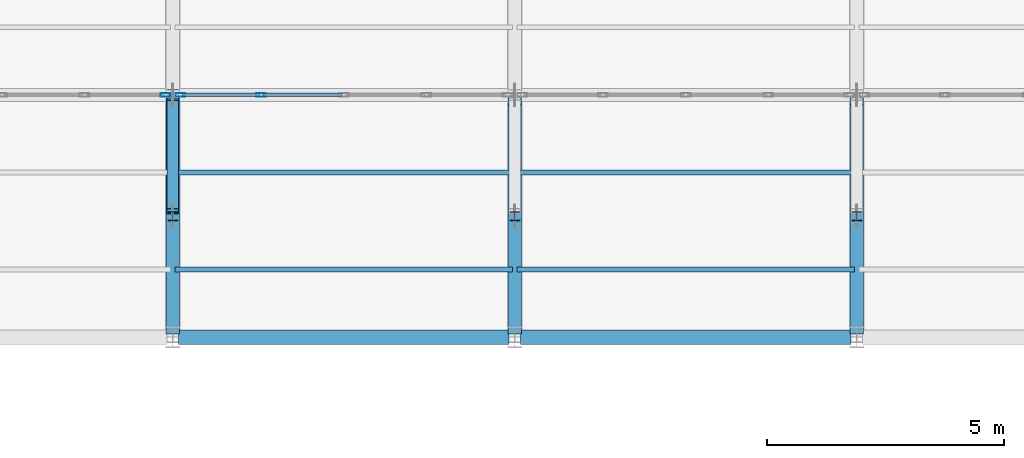
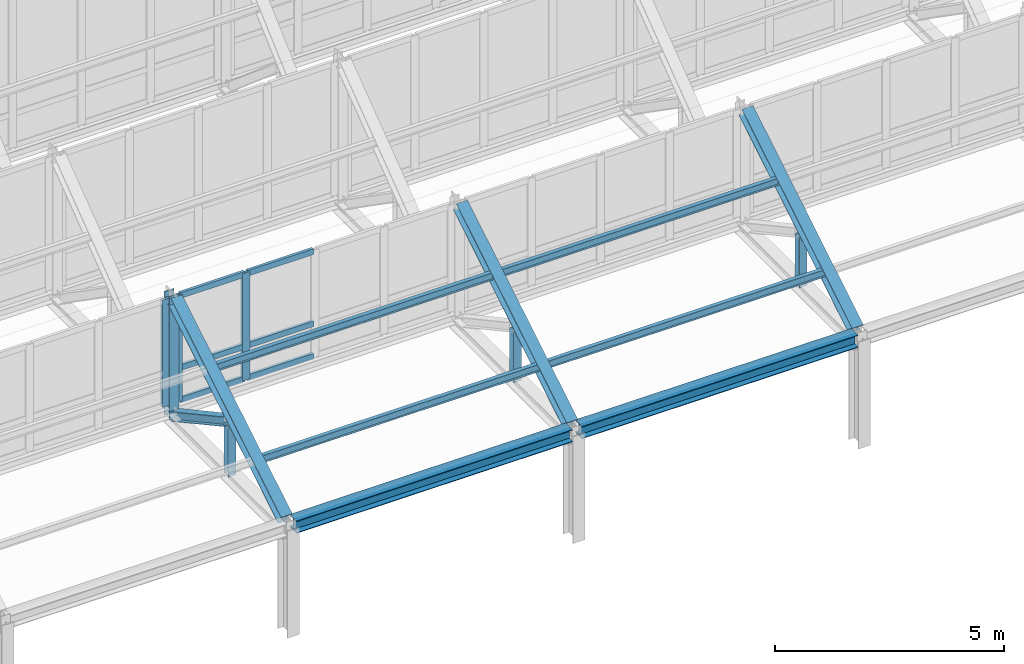
# One storey, part 25 of 157: 21 members, 2 beams, 2 elements without a shape of their own.
"""IFC4 building model written with IfcOpenShell, lengths in metres."""

from ifc_helpers import new_model, si_unit, direction, frame, origin, origin_2d, place, context, subcontext, project, spatial, hollow_rectangle, i_section, extrude, material, material_profile, profile_set, type_object, element, aggregate, save


model = new_model("IFC4")

# Units and contexts
model_context = context("Model", 3, precision=1e-05, world=origin(), true_north=direction((0.0, 1.0)))
body_context = subcontext(model_context, "Body", "Model", "MODEL_VIEW")
ifc_project = project(units=[si_unit("LENGTHUNIT", "METRE"), si_unit("AREAUNIT", "SQUARE_METRE"), si_unit("VOLUMEUNIT", "CUBIC_METRE"), si_unit("PLANEANGLEUNIT", "RADIAN"), si_unit("MASSUNIT", "GRAM", prefix="KILO")], contexts=[model_context])

# Site, building, storey
site_placement = place(None, origin())
site = spatial("IfcSite", under=ifc_project, at=site_placement, CompositionType="ELEMENT")
building_placement = place(site_placement, origin())
building = spatial("IfcBuilding", under=site, at=building_placement, Name="Suanplinth Sawtooth Commons", CompositionType="ELEMENT")
storey_placement = place(building_placement, frame((0.0, 0.0, 9.0)))
storey = spatial("IfcBuildingStorey", under=building, at=storey_placement, Name="L02", CompositionType="ELEMENT", Elevation=9.0)

# Beams
ifc_material_1 = material(Name="Steel S355JR", Category="steel")
ifc_material_profile_1 = material_profile(ifc_material_1, i_section(OverallWidth=0.300048828125, OverallDepth=0.330078125, WebThickness=0.009521484375, FlangeThickness=0.0166015625, at=origin_2d()), Name="HEA 340")
ifc_profile_set_1 = profile_set([ifc_material_profile_1], Name="Steel S355JR")
beam_type = type_object("IfcBeamType", Name="B-15", PredefinedType="USERDEFINED", material=ifc_profile_set_1)
for number, where, z_axis, x_axis, name in (
    (1, (79.320068359375, 50.39990234375, 2.820068359375), (1.0, 0.0, 0.0), (0.0, 1.0, 0.0), "Sawtooth Valley Girder T1-B3"),
    (2, (86.52001953125, 50.39990234375, 2.820068359375), (1.0, 0.0, 0.0), (0.0, 1.0, 0.0), "Sawtooth Valley Girder T1-B4"),
):
    element("IfcBeam", number, at=place(storey_placement, frame(where, z_axis=z_axis, x_axis=x_axis)), inside=storey, type_object=beam_type, Name=name, ObjectType="GIRDER", PredefinedType="USERDEFINED", context=body_context, shape_type="SweptSolid", body=[
        extrude(i_section(OverallWidth=0.300048828125, OverallDepth=0.330078125, WebThickness=0.009521484375, FlangeThickness=0.0166015625, at=origin_2d()), origin(), (0.0, 0.0, 1.0), 6.9599609375),
    ])

# Members
ifc_material_profile_2 = material_profile(ifc_material_1, i_section(OverallWidth=0.280029296875, OverallDepth=0.280029296875, WebThickness=0.010498046875, FlangeThickness=0.01806640625, at=origin_2d()), Name="HEB 280")
ifc_profile_set_2 = profile_set([ifc_material_profile_2], Name="Steel S355JR")
member_type_1 = type_object("IfcMemberType", Name="M-02", PredefinedType="CHORD", material=ifc_profile_set_2)
for number, where, z_axis, x_axis, name in (
    (3, (79.199951171875, 50.5400390625, 2.919921875), (0.0, 0.855283356021, 0.51816057445), (-1.0, 0.0, 0.0), "Sawtooth Truss T3 Top Chord 1"),
    (4, (86.39990234375, 50.5400390625, 2.919921875), (0.0, 0.855283356021, 0.51816057445), (-1.0, 0.0, 0.0), "Sawtooth Truss T4 Top Chord 1"),
    (5, (93.60009765625, 50.5400390625, 2.919921875), (0.0, 0.855283356021, 0.51816057445), (-1.0, 0.0, 0.0), "Sawtooth Truss T5 Top Chord 1"),
):
    element("IfcMember", number, at=place(storey_placement, frame(where, z_axis=z_axis, x_axis=x_axis)), inside=storey, type_object=member_type_1, Name=name, PredefinedType="CHORD", context=body_context, shape_type="SweptSolid", body=[
        extrude(i_section(OverallWidth=0.280029296875, OverallDepth=0.280029296875, WebThickness=0.010498046875, FlangeThickness=0.01806640625, at=origin_2d()), origin(), (0.0, 0.0, 1.0), 5.6357421875),
    ])
ifc_material_profile_3 = material_profile(ifc_material_1, i_section(OverallWidth=0.239990234375, OverallDepth=0.22998046875, WebThickness=0.007568359375, FlangeThickness=0.011962890625, at=origin_2d()), Name="HEA 240")
ifc_profile_set_3 = profile_set([ifc_material_profile_3], Name="Steel S355JR")
member_type_2 = type_object("IfcMemberType", Name="M-03", PredefinedType="BRACE", material=ifc_profile_set_3)
member_1_placement = place(storey_placement, frame((79.199951171875, 53.050048828125, 4.02001953125), z_axis=(0.0, 0.878022125023, -0.478620045517), x_axis=(-1.0, 0.0, 0.0)))
element("IfcMember", 6, at=member_1_placement, inside=storey, type_object=member_type_2, Name="Sawtooth Truss T3 Web Diagonal 1", PredefinedType="BRACE", context=body_context, shape_type="SweptSolid", body=[
    extrude(i_section(OverallWidth=0.239990234375, OverallDepth=0.22998046875, WebThickness=0.007568359375, FlangeThickness=0.011962890625, at=origin_2d()), origin(), (0.0, 0.0, 1.0), 2.653564453125),
])
ifc_material_profile_4 = material_profile(ifc_material_1, i_section(OverallWidth=0.199951171875, OverallDepth=0.18994140625, WebThickness=0.006591796875, FlangeThickness=0.010009765625, at=origin_2d()), Name="HEA 200")
ifc_profile_set_4 = profile_set([ifc_material_profile_4], Name="Steel S355JR")
member_type_3 = type_object("IfcMemberType", Name="M-04", PredefinedType="BRACE", material=ifc_profile_set_4)
for number, where, z_axis, x_axis, name in (
    (7, (79.199951171875, 52.949951171875, 2.64990234375), (0.0, 0.0, 1.0), (1.0, 0.0, 0.0), "Sawtooth Truss T3 Mid Web Post 1"),
    (8, (86.39990234375, 52.949951171875, 2.64990234375), (0.0, 0.0, 1.0), (1.0, 0.0, 0.0), "Sawtooth Truss T4 Mid Web Post 1"),
    (9, (93.60009765625, 52.949951171875, 2.64990234375), (0.0, 0.0, 1.0), (1.0, 0.0, 0.0), "Sawtooth Truss T5 Mid Web Post 1"),
):
    element("IfcMember", number, at=place(storey_placement, frame(where, z_axis=z_axis, x_axis=x_axis)), inside=storey, type_object=member_type_3, Name=name, PredefinedType="BRACE", context=body_context, shape_type="SweptSolid", body=[
        extrude(i_section(OverallWidth=0.199951171875, OverallDepth=0.18994140625, WebThickness=0.006591796875, FlangeThickness=0.010009765625, at=origin_2d()), origin(), (0.0, 0.0, 1.0), 1.35009765625),
    ])
ifc_material_profile_5 = material_profile(ifc_material_1, i_section(OverallWidth=0.239990234375, OverallDepth=0.239990234375, WebThickness=0.010009765625, FlangeThickness=0.01708984375, at=origin_2d()), Name="HEB 240")
ifc_profile_set_5 = profile_set([ifc_material_profile_5], Name="Steel S355JR")
member_type_4 = type_object("IfcMemberType", Name="M-05", PredefinedType="POST", material=ifc_profile_set_5)
member_2_placement = place(storey_placement, frame((79.199951171875, 55.5, 2.64990234375), z_axis=(0.0, 0.0, 1.0), x_axis=(1.0, 0.0, 0.0)))
element("IfcMember", 10, at=member_2_placement, inside=storey, type_object=member_type_4, Name="Sawtooth Truss T3 Clerestory Post 1", PredefinedType="POST", context=body_context, shape_type="SweptSolid", body=[
    extrude(i_section(OverallWidth=0.239990234375, OverallDepth=0.239990234375, WebThickness=0.010009765625, FlangeThickness=0.01708984375, at=origin_2d()), origin(), (0.0, 0.0, 1.0), 3.2900390625),
])
ifc_material_2 = material(Name="Steel SS400", Category="steel")
ifc_material_profile_6 = material_profile(ifc_material_2, i_section(OverallWidth=0.10009765625, OverallDepth=0.199951171875, WebThickness=0.005615234375, FlangeThickness=0.008544921875, at=origin_2d()), Name="IPE 200")
ifc_profile_set_6 = profile_set([ifc_material_profile_6], Name="Steel SS400")
member_type_5 = type_object("IfcMemberType", Name="M-06", PredefinedType="PURLIN", material=ifc_profile_set_6)
for number, where, z_axis, x_axis, name in (
    (11, (79.25, 51.827880859375, 3.691162109375), (1.0, 0.0, 0.0), (0.0, 1.0, 0.0), "Sawtooth Roof Purlin T1-B3-P1"),
    (12, (79.25, 53.867919921875, 4.89111328125), (1.0, 0.0, 0.0), (0.0, 1.0, 0.0), "Sawtooth Roof Purlin T1-B3-P2"),
    (13, (86.449951171875, 51.827880859375, 3.691162109375), (1.0, 0.0, 0.0), (0.0, 1.0, 0.0), "Sawtooth Roof Purlin T1-B4-P1"),
    (14, (86.449951171875, 53.867919921875, 4.89111328125), (1.0, 0.0, 0.0), (0.0, 1.0, 0.0), "Sawtooth Roof Purlin T1-B4-P2"),
):
    element("IfcMember", number, at=place(storey_placement, frame(where, z_axis=z_axis, x_axis=x_axis)), inside=storey, type_object=member_type_5, Name=name, PredefinedType="PURLIN", context=body_context, shape_type="SweptSolid", body=[
        extrude(i_section(OverallWidth=0.10009765625, OverallDepth=0.199951171875, WebThickness=0.005615234375, FlangeThickness=0.008544921875, at=origin_2d()), origin(), (0.0, 0.0, 1.0), 7.10009765625),
    ])

# Curtain wall, member
ifc_material_3 = material(Name="Anodized aluminium and low-E glazing", Category="aluminium")
curtain_wall_type = type_object("IfcCurtainWallType", Name="CW-03", PredefinedType="USERDEFINED", material=ifc_material_3)
curtain_wall_1_placement = place(storey_placement, origin())
curtain_wall_1 = element("IfcCurtainWall", 15, at=curtain_wall_1_placement, inside=storey, type_object=curtain_wall_type, Name="Curtain Wall CW-SAW-T1-B2", ObjectType="CURTAIN WALL", PredefinedType="USERDEFINED")
ifc_material_4 = material(Name="Anodized aluminium 6063-T6", Category="aluminium")
ifc_material_profile_7 = material_profile(ifc_material_4, hollow_rectangle(XDim=0.074951171875, YDim=0.199951171875, WallThickness=0.0048828125, at=origin_2d()), Name="ALU-MUL 75x200")
ifc_profile_set_7 = profile_set([ifc_material_profile_7], Name="Anodized aluminium 6063-T6")
member_type_6 = type_object("IfcMemberType", Name="M-14", PredefinedType="MULLION", material=ifc_profile_set_7)
member_3_placement = place(storey_placement, frame((79.04248046875, 55.5, 2.97998046875), z_axis=(0.0, 0.0, 1.0), x_axis=(0.0, 1.0, 0.0)))
member_3 = element("IfcMember", 16, at=member_3_placement, type_object=member_type_6, Name="CW-03 mullion 5", PredefinedType="MULLION", context=body_context, shape_type="SweptSolid", body=[
    extrude(hollow_rectangle(XDim=0.074951171875, YDim=0.199951171875, WallThickness=0.0048828125, at=origin_2d()), origin(), (0.0, 0.0, 1.0), 2.860107421875),
])
aggregate(curtain_wall_1, [member_3])

# Curtain wall, members
curtain_wall_2_placement = place(storey_placement, origin())
curtain_wall_2 = element("IfcCurtainWall", 17, at=curtain_wall_2_placement, inside=storey, type_object=curtain_wall_type, Name="Curtain Wall CW-SAW-T1-B3", ObjectType="CURTAIN WALL", PredefinedType="USERDEFINED")
member_4_placement = place(storey_placement, frame((79.357421875, 55.5, 2.97998046875), z_axis=(0.0, 0.0, 1.0), x_axis=(0.0, 1.0, 0.0)))
member_4 = element("IfcMember", 18, at=member_4_placement, type_object=member_type_6, Name="CW-03 mullion 1", PredefinedType="MULLION", context=body_context, shape_type="SweptSolid", body=[
    extrude(hollow_rectangle(XDim=0.074951171875, YDim=0.199951171875, WallThickness=0.0048828125, at=origin_2d()), origin(), (0.0, 0.0, 1.0), 2.860107421875),
])
member_5_placement = place(storey_placement, frame((81.06005859375, 55.5, 2.97998046875), z_axis=(0.0, 0.0, 1.0), x_axis=(0.0, 1.0, 0.0)))
member_5 = element("IfcMember", 19, at=member_5_placement, type_object=member_type_6, Name="CW-03 mullion 2", PredefinedType="MULLION", context=body_context, shape_type="SweptSolid", body=[
    extrude(hollow_rectangle(XDim=0.074951171875, YDim=0.199951171875, WallThickness=0.0048828125, at=origin_2d()), origin(), (0.0, 0.0, 1.0), 2.860107421875),
])
ifc_material_profile_8 = material_profile(ifc_material_4, hollow_rectangle(XDim=0.074951171875, YDim=0.14990234375, WallThickness=0.00439453125, at=origin_2d()), Name="ALU-TRN 75x150")
ifc_profile_set_8 = profile_set([ifc_material_profile_8], Name="Anodized aluminium 6063-T6")
member_type_7 = type_object("IfcMemberType", Name="M-16", PredefinedType="USERDEFINED", material=ifc_profile_set_8)
member_6_placement = place(storey_placement, frame((79.39501953125, 55.5, 3.017578125), z_axis=(1.0, 0.0, 0.0), x_axis=(0.0, 1.0, 0.0)))
member_6 = element("IfcMember", 20, at=member_6_placement, type_object=member_type_7, Name="CW-03 transom 1.1", ObjectType="TRANSOM", PredefinedType="USERDEFINED", context=body_context, shape_type="SweptSolid", body=[
    extrude(hollow_rectangle(XDim=0.074951171875, YDim=0.14990234375, WallThickness=0.00439453125, at=origin_2d()), origin(), (0.0, 0.0, 1.0), 1.62744140625),
])
member_7_placement = place(storey_placement, frame((79.39501953125, 55.5, 3.8798828125), z_axis=(1.0, 0.0, 0.0), x_axis=(0.0, 1.0, 0.0)))
member_7 = element("IfcMember", 21, at=member_7_placement, type_object=member_type_7, Name="CW-03 transom 1.2", ObjectType="TRANSOM", PredefinedType="USERDEFINED", context=body_context, shape_type="SweptSolid", body=[
    extrude(hollow_rectangle(XDim=0.074951171875, YDim=0.14990234375, WallThickness=0.00439453125, at=origin_2d()), origin(), (0.0, 0.0, 1.0), 1.62744140625),
])
member_8_placement = place(storey_placement, frame((79.39501953125, 55.5, 5.802490234375), z_axis=(1.0, 0.0, 0.0), x_axis=(0.0, 1.0, 0.0)))
member_8 = element("IfcMember", 22, at=member_8_placement, type_object=member_type_7, Name="CW-03 transom 1.3", ObjectType="TRANSOM", PredefinedType="USERDEFINED", context=body_context, shape_type="SweptSolid", body=[
    extrude(hollow_rectangle(XDim=0.074951171875, YDim=0.14990234375, WallThickness=0.00439453125, at=origin_2d()), origin(), (0.0, 0.0, 1.0), 1.62744140625),
])
member_9_placement = place(storey_placement, frame((81.097412109375, 55.5, 3.017578125), z_axis=(1.0, 0.0, 0.0), x_axis=(0.0, 1.0, 0.0)))
member_9 = element("IfcMember", 23, at=member_9_placement, type_object=member_type_7, Name="CW-03 transom 2.1", ObjectType="TRANSOM", PredefinedType="USERDEFINED", context=body_context, shape_type="SweptSolid", body=[
    extrude(hollow_rectangle(XDim=0.074951171875, YDim=0.14990234375, WallThickness=0.00439453125, at=origin_2d()), origin(), (0.0, 0.0, 1.0), 1.6650390625),
])
member_10_placement = place(storey_placement, frame((81.097412109375, 55.5, 3.8798828125), z_axis=(1.0, 0.0, 0.0), x_axis=(0.0, 1.0, 0.0)))
member_10 = element("IfcMember", 24, at=member_10_placement, type_object=member_type_7, Name="CW-03 transom 2.2", ObjectType="TRANSOM", PredefinedType="USERDEFINED", context=body_context, shape_type="SweptSolid", body=[
    extrude(hollow_rectangle(XDim=0.074951171875, YDim=0.14990234375, WallThickness=0.00439453125, at=origin_2d()), origin(), (0.0, 0.0, 1.0), 1.6650390625),
])
member_11_placement = place(storey_placement, frame((81.097412109375, 55.5, 5.802490234375), z_axis=(1.0, 0.0, 0.0), x_axis=(0.0, 1.0, 0.0)))
member_11 = element("IfcMember", 25, at=member_11_placement, type_object=member_type_7, Name="CW-03 transom 2.3", ObjectType="TRANSOM", PredefinedType="USERDEFINED", context=body_context, shape_type="SweptSolid", body=[
    extrude(hollow_rectangle(XDim=0.074951171875, YDim=0.14990234375, WallThickness=0.00439453125, at=origin_2d()), origin(), (0.0, 0.0, 1.0), 1.6650390625),
])
aggregate(curtain_wall_2, [member_4, member_5, member_6, member_7, member_8, member_9, member_10, member_11])

save(model, "model.ifc")
